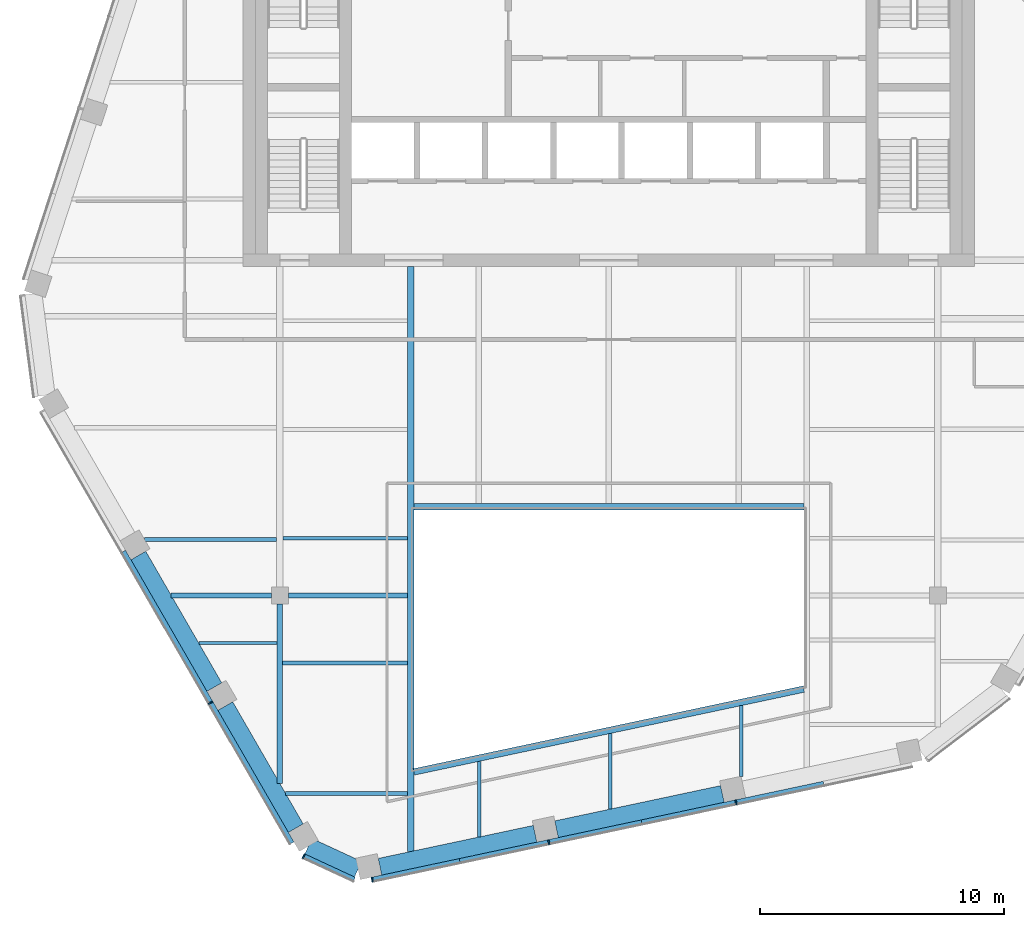
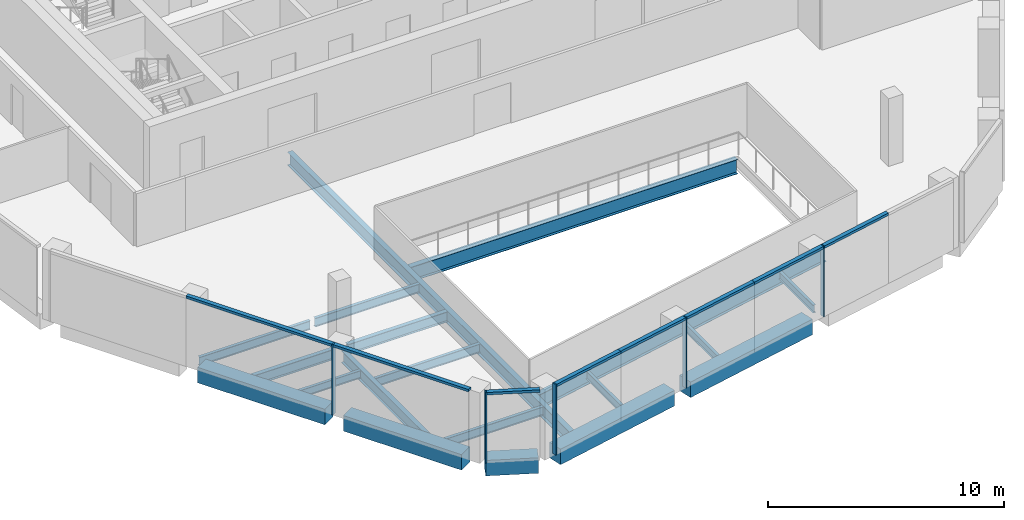
# One storey, part 2 of 15: 19 beams, 13 members, 3 elements without a shape of their own.
"""IFC4 building model written with IfcOpenShell, lengths in metres."""

import ifcopenshell
import ifcopenshell.guid

model = None  # the IFC model being written
_history = None  # IfcOwnerHistory: only IFC2X3 demands one
_inside = {}  # id of a spatial element -> (the spatial element, [elements in it])
_under = {}  # id of a project, library or spatial element -> (it, [spatial elements below it])
_declared = {}  # id of a project -> (the project, [libraries it declares])
_typed = {}  # id of a type object -> (the type object, [elements of that type])
_made_of = {}  # id of a material, layer set ... -> (it, [elements and type objects made of it])


def new_model(schema):
    """Start an empty IFC model of exactly this schema.

    Asked for "IFC4X3", IfcOpenShell would pick the latest addendum, in which some entities
    have other attributes; the version numbers below select the first issue.
    IFC2X3 requires an IfcOwnerHistory on every rooted entity: one is made here for all.
    """
    global model, _history
    if schema == "IFC4X3":
        model = ifcopenshell.file(schema_version=(4, 3, 0, 0))
    else:
        model = ifcopenshell.file(schema=schema)
    _inside.clear()
    _under.clear()
    _declared.clear()
    _typed.clear()
    _made_of.clear()
    _history = None
    if model.schema == "IFC2X3":
        org = make("IfcOrganization", Name="unknown")
        user = make(
            "IfcPersonAndOrganization",
            ThePerson=make("IfcPerson", FamilyName="unknown"),
            TheOrganization=org,
        )
        app = make(
            "IfcApplication",
            ApplicationDeveloper=org,
            Version="unknown",
            ApplicationFullName="unknown",
            ApplicationIdentifier="unknown",
        )
        _history = make(
            "IfcOwnerHistory",
            OwningUser=user,
            OwningApplication=app,
            ChangeAction="ADDED",
            CreationDate=0,
        )
    return model


def make(cls, **values):
    """One entity of the class cls with the attributes given. An attribute that is None is left unset."""
    return model.create_entity(
        cls, **{name: value for name, value in values.items() if value is not None}
    )


def rooted(cls, **values):
    """An entity with a GlobalId (a new one), such as an element, a storey or a relation."""
    return make(cls, GlobalId=ifcopenshell.guid.new(), OwnerHistory=_history, **values)


def si_unit(unit_type, name, prefix=None):
    """IfcSIUnit, for example si_unit("LENGTHUNIT", "METRE", prefix="MILLI")."""
    return make("IfcSIUnit", UnitType=unit_type, Prefix=prefix, Name=name)


def assignment(units):
    """IfcUnitAssignment: the units of a project."""
    return None if units is None else make("IfcUnitAssignment", Units=units)


def point(xyz):
    """IfcCartesianPoint."""
    return None if xyz is None else make("IfcCartesianPoint", Coordinates=xyz)


def direction(xyz):
    """IfcDirection."""
    return None if xyz is None else make("IfcDirection", DirectionRatios=xyz)


def frame(location, z_axis=None, x_axis=None):
    """IfcAxis2Placement3D, a coordinate frame: its origin and axes. An axis left out is left unset."""
    return make(
        "IfcAxis2Placement3D",
        Location=point(location),
        Axis=direction(z_axis),
        RefDirection=direction(x_axis),
    )


def frame_2d(location, x_axis=None):
    """IfcAxis2Placement2D, a coordinate frame in the plane: its origin and x axis."""
    return make(
        "IfcAxis2Placement2D", Location=point(location), RefDirection=direction(x_axis)
    )


def origin():
    """The frame at (0, 0, 0) with its axes left unset."""
    return frame((0.0, 0.0, 0.0))


def origin_2d():
    """The frame at (0, 0) in the plane with its x axis left unset."""
    return frame_2d((0.0, 0.0))


def place(relative_to, where):
    """IfcLocalPlacement: puts the frame where relative to a parent placement (None: the world)."""
    return make(
        "IfcLocalPlacement", PlacementRelTo=relative_to, RelativePlacement=where
    )


def context(
    kind, dimensions, precision=None, world=None, true_north=None, identifier=None
):
    """IfcGeometricRepresentationContext, for example the 3D "Model" context."""
    return make(
        "IfcGeometricRepresentationContext",
        ContextIdentifier=identifier,
        ContextType=kind,
        CoordinateSpaceDimension=dimensions,
        Precision=precision,
        WorldCoordinateSystem=world,
        TrueNorth=true_north,
    )


def subcontext(parent, identifier, kind, view, scale=None):
    """IfcGeometricRepresentationSubContext, for example "Body" below "Model"."""
    return make(
        "IfcGeometricRepresentationSubContext",
        ContextIdentifier=identifier,
        ContextType=kind,
        ParentContext=parent,
        TargetScale=scale,
        TargetView=view,
    )


def project(units=None, contexts=None):
    """IfcProject with its units and contexts."""
    return rooted(
        "IfcProject",
        Name="project",
        RepresentationContexts=contexts,
        UnitsInContext=assignment(units),
    )


def spatial(cls, under=None, at=None, **own):
    """A site, building, storey or space (cls), placed at a placement, below another one or the project."""
    s = rooted(cls, ObjectPlacement=at, **own)
    if under is not None:
        _under.setdefault(under.id(), (under, []))[1].append(s)
    return s


def profile(cls, at=None, kind="AREA", **sizes):
    """A parametric profile (cls). Its sizes go by their IFC names, for example OverallWidth=200.0."""
    return make(cls, ProfileType=kind, Position=at, **sizes)


def rectangle(**sizes):
    """IfcRectangleProfileDef."""
    return profile("IfcRectangleProfileDef", **sizes)


def i_section(**sizes):
    """IfcIShapeProfileDef."""
    return profile("IfcIShapeProfileDef", **sizes)


def extrude(swept, where, along, depth):
    """IfcExtrudedAreaSolid: the profile swept, set in the frame where, extruded along a direction by depth."""
    return make(
        "IfcExtrudedAreaSolid",
        SweptArea=swept,
        Position=where,
        ExtrudedDirection=direction(along),
        Depth=depth,
    )


def shape(context_of_items, identifier, shape_type, items):
    """IfcShapeRepresentation: the items that make up one representation, for example the "Body"."""
    return make(
        "IfcShapeRepresentation",
        ContextOfItems=context_of_items,
        RepresentationIdentifier=identifier,
        RepresentationType=shape_type,
        Items=items,
    )


def material(Name=None, Category=None):
    """IfcMaterial."""
    return make("IfcMaterial", Name=Name, Category=Category)


def layer(
    of_material, thickness, ventilated=None, Name=None, Category=None, Priority=None
):
    """IfcMaterialLayer: one layer of a wall or slab, of a material (None: an air gap)."""
    return make(
        "IfcMaterialLayer",
        Material=of_material,
        LayerThickness=thickness,
        IsVentilated=ventilated,
        Name=Name,
        Category=Category,
        Priority=Priority,
    )


def layer_set(layers, Name=None):
    """IfcMaterialLayerSet."""
    return make("IfcMaterialLayerSet", MaterialLayers=layers, LayerSetName=Name)


def material_profile(
    of_material, cross_section, Name=None, Category=None, Priority=None
):
    """IfcMaterialProfile: a cross section and its material."""
    return make(
        "IfcMaterialProfile",
        Name=Name,
        Material=of_material,
        Profile=cross_section,
        Priority=Priority,
        Category=Category,
    )


def profile_set(profiles, Name=None, composite=None):
    """IfcMaterialProfileSet."""
    return make(
        "IfcMaterialProfileSet",
        Name=Name,
        MaterialProfiles=profiles,
        CompositeProfile=composite,
    )


def made_of(thing, what):
    """Note that an element or type object is made of a material, layer set ...; save() writes the relation."""
    if what is not None:
        _made_of.setdefault(what.id(), (what, []))[1].append(thing)
    return thing


def type_object(cls, material=None, **own):
    """A type object (cls), such as IfcWallType, which elements share."""
    return made_of(rooted(cls, **own), material)


def element(
    cls,
    number,
    at=None,
    inside=None,
    cuts=None,
    type_object=None,
    material=None,
    context=None,
    identifier="Body",
    shape_type=None,
    held_by="IfcProductDefinitionShape",
    body=None,
    shapes=None,
    **own,
):
    """One element of the class cls, such as IfcWall. Its Tag is "e" and its number.

    at: its placement. inside: the storey or other place that contains it. cuts: it is an
    opening in that element (IfcRelVoidsElement). A single representation is given by context,
    identifier, shape_type and body (its items); several are given by shapes. held_by: the class
    of the entity that holds the representations. save() writes the other relations.
    """
    e = rooted(cls, Tag="e%d" % number, ObjectPlacement=at, **own)
    if body is not None:
        shapes = [shape(context, identifier, shape_type, body)]
    if shapes is not None:
        e.Representation = make(held_by, Representations=shapes)
    if inside is not None:
        _inside.setdefault(inside.id(), (inside, []))[1].append(e)
    if cuts is not None:
        rooted(
            "IfcRelVoidsElement", RelatingBuildingElement=cuts, RelatedOpeningElement=e
        )
    if type_object is not None:
        _typed.setdefault(type_object.id(), (type_object, []))[1].append(e)
    return made_of(e, material)


def aggregate(whole, parts):
    """IfcRelAggregates: a whole, such as a stair, and the parts it consists of."""
    return rooted("IfcRelAggregates", RelatingObject=whole, RelatedObjects=parts)


def save(model, path):
    """Write the relations noted so far, then the file.

    IfcRelAggregates (storeys below a building ...), IfcRelContainedInSpatialStructure (elements
    in a storey), IfcRelDefinesByType, IfcRelAssociatesMaterial and IfcRelDeclares: one each for
    every whole, place, type object, material and project.
    """
    for whole, parts in _under.values():
        aggregate(whole, parts)
    for where, things in _inside.values():
        rooted(
            "IfcRelContainedInSpatialStructure",
            RelatedElements=things,
            RelatingStructure=where,
        )
    for kind, things in _typed.values():
        rooted("IfcRelDefinesByType", RelatedObjects=things, RelatingType=kind)
    for what, things in _made_of.values():
        rooted("IfcRelAssociatesMaterial", RelatedObjects=things, RelatingMaterial=what)
    for by, libraries in _declared.values():
        rooted("IfcRelDeclares", RelatingContext=by, RelatedDefinitions=libraries)
    model.write(path)


model = new_model("IFC4")

# Units and contexts
model_context = context("Model", 3, precision=1e-05, world=origin(), true_north=direction((0.0, 1.0)))
body_context = subcontext(model_context, "Body", "Model", "MODEL_VIEW")
ifc_project = project(units=[si_unit("LENGTHUNIT", "METRE"), si_unit("AREAUNIT", "SQUARE_METRE"), si_unit("VOLUMEUNIT", "CUBIC_METRE"), si_unit("PLANEANGLEUNIT", "RADIAN"), si_unit("MASSUNIT", "GRAM", prefix="KILO")], contexts=[model_context])

# Site, building, storey
site_placement = place(None, origin())
site = spatial("IfcSite", under=ifc_project, at=site_placement, CompositionType="ELEMENT")
building_placement = place(site_placement, origin())
building = spatial("IfcBuilding", under=site, at=building_placement, Name="Isthmus Gate Tower", CompositionType="ELEMENT")
storey_placement = place(building_placement, frame((0.0, 0.0, 268.25)))
storey = spatial("IfcBuildingStorey", under=building, at=storey_placement, Name="L68", CompositionType="ELEMENT", Elevation=268.25)

# Curtain wall, member
ifc_material_1 = material(Name="Aluminium, pale champagne anodised", Category="aluminium")
ifc_layer = layer(ifc_material_1, 0.199951171875)
ifc_layer_set = layer_set([ifc_layer], Name="CW-1 UNITISED CURTAIN WALL 200 DEEP")
curtain_wall_type = type_object("IfcCurtainWallType", Name="CW-1 UNITISED CURTAIN WALL 200 DEEP", PredefinedType="NOTDEFINED", material=ifc_layer_set)
curtain_wall_1_placement = place(storey_placement, origin())
curtain_wall_1 = element("IfcCurtainWall", 1, at=curtain_wall_1_placement, inside=storey, type_object=curtain_wall_type, Name="CW-1 SW L68", PredefinedType="NOTDEFINED")
ifc_material_2 = material(Name="Aluminium, pale champagne anodised", Category="aluminium")
ifc_material_profile_1 = material_profile(ifc_material_2, rectangle(XDim=0.06005859375, YDim=0.199951171875, at=origin_2d()), Name="60x200")
ifc_profile_set_1 = profile_set([ifc_material_profile_1], Name="Aluminium, pale champagne anodised")
member_type_1 = type_object("IfcMemberType", Name="CW-1 MULLION 60 X 200", PredefinedType="MULLION", material=ifc_profile_set_1)
member_1_placement = place(storey_placement, frame((-16.33544921875, -17.90625, 0.0), z_axis=(0.0, 0.0, 1.0), x_axis=(0.5, -0.866025403784, 0.0)))
member_1 = element("IfcMember", 2, at=member_1_placement, type_object=member_type_1, Name="CW-1 mullion", PredefinedType="MULLION", context=body_context, shape_type="SweptSolid", body=[
    extrude(rectangle(XDim=0.06005859375, YDim=0.199951171875, at=origin_2d()), origin(), (0.0, 0.0, 1.0), 3.64990234375),
])

curtain_wall_2_placement = place(storey_placement, origin())
curtain_wall_2 = element("IfcCurtainWall", 3, at=curtain_wall_2_placement, inside=storey, type_object=curtain_wall_type, Name="CW-1 SW-S L68", PredefinedType="NOTDEFINED")
member_2_placement = place(storey_placement, frame((-12.519775390625, -24.201171875, 0.0), z_axis=(0.0, 0.0, 1.0), x_axis=(0.907256261367, -0.420578264073, 0.0)))
member_2 = element("IfcMember", 4, at=member_2_placement, type_object=member_type_1, Name="CW-1 mullion", PredefinedType="MULLION", context=body_context, shape_type="SweptSolid", body=[
    extrude(rectangle(XDim=0.06005859375, YDim=0.199951171875, at=origin_2d()), origin(), (0.0, 0.0, 1.0), 3.64990234375),
])

# Curtain wall, members
curtain_wall_3_placement = place(storey_placement, origin())
curtain_wall_3 = element("IfcCurtainWall", 5, at=curtain_wall_3_placement, inside=storey, type_object=curtain_wall_type, Name="CW-1 S L68", PredefinedType="NOTDEFINED")
member_3_placement = place(storey_placement, frame((-9.70703125, -25.16552734375, 0.0), z_axis=(0.0, 0.0, 1.0), x_axis=(0.978147600734, 0.207911690818, 0.0)))
member_3 = element("IfcMember", 6, at=member_3_placement, type_object=member_type_1, Name="CW-1 mullion", PredefinedType="MULLION", context=body_context, shape_type="SweptSolid", body=[
    extrude(rectangle(XDim=0.06005859375, YDim=0.199951171875, at=origin_2d()), origin(), (0.0, 0.0, 1.0), 3.64990234375),
])
member_4_placement = place(storey_placement, frame((-2.462158203125, -23.62548828125, 0.0), z_axis=(0.0, 0.0, 1.0), x_axis=(0.978147600734, 0.207911690818, 0.0)))
member_4 = element("IfcMember", 7, at=member_4_placement, type_object=member_type_1, Name="CW-1 mullion", PredefinedType="MULLION", context=body_context, shape_type="SweptSolid", body=[
    extrude(rectangle(XDim=0.06005859375, YDim=0.199951171875, at=origin_2d()), origin(), (0.0, 0.0, 1.0), 3.64990234375),
])
member_5_placement = place(storey_placement, frame((5.222900390625, -21.991943359375, 0.0), z_axis=(0.0, 0.0, 1.0), x_axis=(0.978147600734, 0.207911690818, 0.0)))
member_5 = element("IfcMember", 8, at=member_5_placement, type_object=member_type_1, Name="CW-1 mullion", PredefinedType="MULLION", context=body_context, shape_type="SweptSolid", body=[
    extrude(rectangle(XDim=0.06005859375, YDim=0.199951171875, at=origin_2d()), origin(), (0.0, 0.0, 1.0), 3.64990234375),
])

# Member
ifc_material_3 = material(Name="Aluminium, pale champagne anodised", Category="aluminium")
ifc_material_profile_2 = material_profile(ifc_material_3, rectangle(XDim=0.199951171875, YDim=0.1298828125, at=origin_2d()), Name="200x130")
ifc_profile_set_2 = profile_set([ifc_material_profile_2], Name="Aluminium, pale champagne anodised")
member_type_2 = type_object("IfcMemberType", Name="CW-1 TRANSOM 200 X 130", PredefinedType="USERDEFINED", material=ifc_profile_set_2)
member_6_placement = place(storey_placement, frame((-19.917724609375, -11.70166015625, 3.5849609375), z_axis=(0.500010763282, -0.866019189511, 0.0), x_axis=(0.866019189511, 0.500010763282, 0.0)))
member_6 = element("IfcMember", 9, at=member_6_placement, type_object=member_type_2, Name="CW-1 transom", ObjectType="TRANSOM", PredefinedType="USERDEFINED", context=body_context, shape_type="SweptSolid", body=[
    extrude(rectangle(XDim=0.199951171875, YDim=0.1298828125, at=origin_2d()), origin(), (0.0, 0.0, 1.0), 7.134521484375),
])

member_7_placement = place(storey_placement, frame((-16.3203125, -17.932373046875, 3.5849609375), z_axis=(0.500011702555, -0.866018647206, 0.0), x_axis=(0.866018647206, 0.500011702555, 0.0)))
member_7 = element("IfcMember", 10, at=member_7_placement, type_object=member_type_2, Name="CW-1 transom", ObjectType="TRANSOM", PredefinedType="USERDEFINED", context=body_context, shape_type="SweptSolid", body=[
    extrude(rectangle(XDim=0.199951171875, YDim=0.1298828125, at=origin_2d()), origin(), (0.0, 0.0, 1.0), 6.624267578125),
])

aggregate(curtain_wall_1, [member_6, member_1, member_7])

member_8_placement = place(storey_placement, frame((-12.49267578125, -24.213623046875, 3.5849609375), z_axis=(0.907246225564, -0.420599912268, 0.0), x_axis=(0.420599912268, 0.907246225564, 0.0)))
member_8 = element("IfcMember", 11, at=member_8_placement, type_object=member_type_2, Name="CW-1 transom", ObjectType="TRANSOM", PredefinedType="USERDEFINED", context=body_context, shape_type="SweptSolid", body=[
    extrude(rectangle(XDim=0.199951171875, YDim=0.1298828125, at=origin_2d()), origin(), (0.0, 0.0, 1.0), 2.258544921875),
])

aggregate(curtain_wall_2, [member_2, member_8])

member_9_placement = place(storey_placement, frame((-9.677734375, -25.1591796875, 3.5849609375), z_axis=(0.9781569775, 0.207867571707, 0.0), x_axis=(-0.207867571707, 0.9781569775, 0.0)))
member_9 = element("IfcMember", 12, at=member_9_placement, type_object=member_type_2, Name="CW-1 transom", ObjectType="TRANSOM", PredefinedType="USERDEFINED", context=body_context, shape_type="SweptSolid", body=[
    extrude(rectangle(XDim=0.199951171875, YDim=0.1298828125, at=origin_2d()), origin(), (0.0, 0.0, 1.0), 3.643310546875),
])

member_10_placement = place(storey_placement, frame((-6.114013671875, -24.40185546875, 3.5849609375), z_axis=(0.978146451283, 0.207917098487, 0.0), x_axis=(-0.207917098487, 0.978146451283, 0.0)))
member_10 = element("IfcMember", 13, at=member_10_placement, type_object=member_type_2, Name="CW-1 transom", ObjectType="TRANSOM", PredefinedType="USERDEFINED", context=body_context, shape_type="SweptSolid", body=[
    extrude(rectangle(XDim=0.199951171875, YDim=0.1298828125, at=origin_2d()), origin(), (0.0, 0.0, 1.0), 3.70361328125),
])

member_11_placement = place(storey_placement, frame((-2.432861328125, -23.619384765625, 3.5849609375), z_axis=(0.978140080964, 0.207947065409, 0.0), x_axis=(-0.207947065409, 0.978140080964, 0.0)))
member_11 = element("IfcMember", 14, at=member_11_placement, type_object=member_type_2, Name="CW-1 transom", ObjectType="TRANSOM", PredefinedType="USERDEFINED", context=body_context, shape_type="SweptSolid", body=[
    extrude(rectangle(XDim=0.199951171875, YDim=0.1298828125, at=origin_2d()), origin(), (0.0, 0.0, 1.0), 3.868408203125),
])

member_12_placement = place(storey_placement, frame((1.35107421875, -22.81494140625, 3.5849609375), z_axis=(0.978153006411, 0.207886257478, 0.0), x_axis=(-0.207886257478, 0.978153006411, 0.0)))
member_12 = element("IfcMember", 15, at=member_12_placement, type_object=member_type_2, Name="CW-1 transom", ObjectType="TRANSOM", PredefinedType="USERDEFINED", context=body_context, shape_type="SweptSolid", body=[
    extrude(rectangle(XDim=0.199951171875, YDim=0.1298828125, at=origin_2d()), origin(), (0.0, 0.0, 1.0), 3.928466796875),
])

member_13_placement = place(storey_placement, frame((5.25244140625, -21.98583984375, 3.5849609375), z_axis=(0.978143350472, 0.207931685724, 0.0), x_axis=(-0.207931685724, 0.978143350472, 0.0)))
member_13 = element("IfcMember", 16, at=member_13_placement, type_object=member_type_2, Name="CW-1 transom", ObjectType="TRANSOM", PredefinedType="USERDEFINED", context=body_context, shape_type="SweptSolid", body=[
    extrude(rectangle(XDim=0.199951171875, YDim=0.1298828125, at=origin_2d()), origin(), (0.0, 0.0, 1.0), 3.643310546875),
])

aggregate(curtain_wall_3, [member_3, member_9, member_10, member_4, member_11, member_12, member_5, member_13])

# Beams
ifc_material_4 = material(Name="Concrete f'c 50 MPa", Category="concrete")
ifc_material_profile_3 = material_profile(ifc_material_4, rectangle(XDim=0.699951171875, YDim=0.800048828125, at=origin_2d()), Name="RC 700X800")
ifc_profile_set_3 = profile_set([ifc_material_profile_3], Name="Concrete f'c 50 MPa")
beam_type_1 = type_object("IfcBeamType", Name="RC SPANDREL 700 X 800", PredefinedType="SPANDREL", material=ifc_profile_set_3)
beam_1_placement = place(storey_placement, frame((4.659912109375, -21.651611328125, -0.39990234375), z_axis=(-0.978143150477, -0.207932626528, 0.0), x_axis=(0.207932626528, -0.978143150477, 0.0)))
element("IfcBeam", 17, at=beam_1_placement, inside=storey, type_object=beam_type_1, Name="str-spandrel-L68-10", PredefinedType="SPANDREL", context=body_context, shape_type="SweptSolid", body=[
    extrude(rectangle(XDim=0.699951171875, YDim=0.800048828125, at=origin_2d()), origin(), (0.0, 0.0, 1.0), 6.956787109375),
])
beam_2_placement = place(storey_placement, frame((-3.025146484375, -23.28515625, -0.39990234375), z_axis=(-0.97815026796, -0.207899142108, 0.0), x_axis=(0.207899142108, -0.97815026796, 0.0)))
element("IfcBeam", 18, at=beam_2_placement, inside=storey, type_object=beam_type_1, Name="str-spandrel-L68-11", PredefinedType="SPANDREL", context=body_context, shape_type="SweptSolid", body=[
    extrude(rectangle(XDim=0.699951171875, YDim=0.800048828125, at=origin_2d()), origin(), (0.0, 0.0, 1.0), 6.5068359375),
])
beam_3_placement = place(storey_placement, frame((-10.288330078125, -24.739501953125, -0.39990234375), z_axis=(-0.907254968276, 0.42058105347, 0.0), x_axis=(-0.42058105347, -0.907254968276, 0.0)))
element("IfcBeam", 19, at=beam_3_placement, inside=storey, type_object=beam_type_1, Name="str-spandrel-L68-12", PredefinedType="SPANDREL", context=body_context, shape_type="SweptSolid", body=[
    extrude(rectangle(XDim=0.699951171875, YDim=0.800048828125, at=origin_2d()), origin(), (0.0, 0.0, 1.0), 2.245849609375),
])
beam_4_placement = place(storey_placement, frame((-12.843505859375, -23.0546875, -0.39990234375), z_axis=(-0.499961143711, 0.866047836311, 0.0), x_axis=(-0.866047836311, -0.499961143711, 0.0)))
element("IfcBeam", 20, at=beam_4_placement, inside=storey, type_object=beam_type_1, Name="str-spandrel-L68-13", PredefinedType="SPANDREL", context=body_context, shape_type="SweptSolid", body=[
    extrude(rectangle(XDim=0.699951171875, YDim=0.800048828125, at=origin_2d()), origin(), (0.0, 0.0, 1.0), 5.78466796875),
])
beam_5_placement = place(storey_placement, frame((-16.185791015625, -17.265625, -0.39990234375), z_axis=(-0.499997027648, 0.866027119866, 0.0), x_axis=(-0.866027119866, -0.499997027648, 0.0)))
element("IfcBeam", 21, at=beam_5_placement, inside=storey, type_object=beam_type_1, Name="str-spandrel-L68-14", PredefinedType="SPANDREL", context=body_context, shape_type="SweptSolid", body=[
    extrude(rectangle(XDim=0.699951171875, YDim=0.800048828125, at=origin_2d()), origin(), (0.0, 0.0, 1.0), 6.234375),
])
ifc_material_5 = material(Name="Structural steel ASTM A992 Gr 50", Category="steel")
ifc_material_profile_4 = material_profile(ifc_material_5, i_section(OverallWidth=0.1396484375, OverallDepth=0.4033203125, WebThickness=0.00634765625, FlangeThickness=0.010986328125, at=origin_2d()), Name="W16X31")
ifc_profile_set_4 = profile_set([ifc_material_profile_4], Name="Structural steel ASTM A992 Gr 50")
beam_type_2 = type_object("IfcBeamType", Name="STEEL FLOOR BEAM W16X31", PredefinedType="JOIST", material=ifc_profile_set_4)
beam_6_placement = place(storey_placement, frame((-16.824951171875, -15.45849609375, -0.3515625), z_axis=(1.0, 0.0, 0.0), x_axis=(0.0, 1.0, 0.0)))
element("IfcBeam", 22, at=beam_6_placement, inside=storey, type_object=beam_type_2, Name="str-beam-L68-02-00", PredefinedType="JOIST", context=body_context, shape_type="SweptSolid", body=[
    extrude(i_section(OverallWidth=0.1396484375, OverallDepth=0.4033203125, WebThickness=0.00634765625, FlangeThickness=0.010986328125, at=origin_2d()), origin(), (0.0, 0.0, 1.0), 3.210693359375),
])
for number, where, z_axis, x_axis, name in (
    (23, (-5.314208984375, -23.4140625, -0.3515625), (0.0, 1.0, 0.0), (-1.0, 0.0, 0.0), "str-beam-L68-05-00"),
    (24, (0.05712890625, -22.272216796875, -0.3515625), (0.0, 1.0, 0.0), (-1.0, 0.0, 0.0), "str-beam-L68-05-01"),
):
    element("IfcBeam", number, at=place(storey_placement, frame(where, z_axis=z_axis, x_axis=x_axis)), inside=storey, type_object=beam_type_2, Name=name, PredefinedType="JOIST", context=body_context, shape_type="SweptSolid", body=[
        extrude(i_section(OverallWidth=0.1396484375, OverallDepth=0.4033203125, WebThickness=0.00634765625, FlangeThickness=0.010986328125, at=origin_2d()), origin(), (0.0, 0.0, 1.0), 3.10107421875),
    ])
beam_7_placement = place(storey_placement, frame((5.428466796875, -20.939208984375, -0.3515625), z_axis=(0.0, 1.0, 0.0), x_axis=(-1.0, 0.0, 0.0)))
element("IfcBeam", 25, at=beam_7_placement, inside=storey, type_object=beam_type_2, Name="str-beam-L68-05-02", PredefinedType="JOIST", context=body_context, shape_type="SweptSolid", body=[
    extrude(i_section(OverallWidth=0.1396484375, OverallDepth=0.4033203125, WebThickness=0.00634765625, FlangeThickness=0.010986328125, at=origin_2d()), origin(), (0.0, 0.0, 1.0), 2.909912109375),
])
ifc_material_6 = material(Name="Structural steel ASTM A992 Gr 50", Category="steel")
ifc_material_profile_5 = material_profile(ifc_material_6, i_section(OverallWidth=0.15234375, OverallDepth=0.45068359375, WebThickness=0.0078125, FlangeThickness=0.010986328125, at=origin_2d()), Name="W18X35")
ifc_profile_set_5 = profile_set([ifc_material_profile_5], Name="Structural steel ASTM A992 Gr 50")
beam_type_3 = type_object("IfcBeamType", Name="STEEL FLOOR BEAM W18X35", PredefinedType="JOIST", material=ifc_profile_set_5)
beam_8_placement = place(storey_placement, frame((-19.0478515625, -11.208251953125, -0.37548828125), z_axis=(1.0, 0.0, 0.0), x_axis=(0.0, 1.0, 0.0)))
element("IfcBeam", 26, at=beam_8_placement, inside=storey, type_object=beam_type_3, Name="str-beam-L68-01-00", PredefinedType="JOIST", context=body_context, shape_type="SweptSolid", body=[
    extrude(i_section(OverallWidth=0.15234375, OverallDepth=0.45068359375, WebThickness=0.0078125, FlangeThickness=0.010986328125, at=origin_2d()), origin(), (0.0, 0.0, 1.0), 5.416015625),
])
beam_9_placement = place(storey_placement, frame((-13.3681640625, -11.16259765625, -0.37548828125), z_axis=(1.0, 0.0, 0.0), x_axis=(0.0, 1.0, 0.0)))
element("IfcBeam", 27, at=beam_9_placement, inside=storey, type_object=beam_type_3, Name="str-beam-L68-03-00", PredefinedType="JOIST", context=body_context, shape_type="SweptSolid", body=[
    extrude(i_section(OverallWidth=0.15234375, OverallDepth=0.45068359375, WebThickness=0.0078125, FlangeThickness=0.010986328125, at=origin_2d()), origin(), (0.0, 0.0, 1.0), 5.1142578125),
])
beam_10_placement = place(storey_placement, frame((-13.2587890625, -21.635009765625, -0.37548828125), z_axis=(1.0, 0.0, 0.0), x_axis=(0.0, 1.0, 0.0)))
element("IfcBeam", 28, at=beam_10_placement, inside=storey, type_object=beam_type_3, Name="str-beam-L68-04-00", PredefinedType="JOIST", context=body_context, shape_type="SweptSolid", body=[
    extrude(i_section(OverallWidth=0.15234375, OverallDepth=0.45068359375, WebThickness=0.0078125, FlangeThickness=0.010986328125, at=origin_2d()), origin(), (0.0, 0.0, 1.0), 5.0048828125),
])
beam_11_placement = place(storey_placement, frame((-13.3857421875, -16.281494140625, -0.37548828125), z_axis=(1.0, 0.0, 0.0), x_axis=(0.0, 1.0, 0.0)))
element("IfcBeam", 29, at=beam_11_placement, inside=storey, type_object=beam_type_3, Name="str-beam-L68-04-01", PredefinedType="JOIST", context=body_context, shape_type="SweptSolid", body=[
    extrude(i_section(OverallWidth=0.15234375, OverallDepth=0.45068359375, WebThickness=0.0078125, FlangeThickness=0.010986328125, at=origin_2d()), origin(), (0.0, 0.0, 1.0), 5.1318359375),
])
ifc_material_7 = material(Name="Structural steel ASTM A992 Gr 50", Category="steel")
ifc_material_profile_6 = material_profile(ifc_material_7, i_section(OverallWidth=0.20947265625, OverallDepth=0.533447265625, WebThickness=0.009521484375, FlangeThickness=0.015869140625, at=origin_2d()), Name="W21X62")
ifc_profile_set_6 = profile_set([ifc_material_profile_6], Name="Structural steel ASTM A992 Gr 50")
beam_type_4 = type_object("IfcBeamType", Name="STEEL GIRDER W21X62", PredefinedType="BEAM", material=ifc_profile_set_6)
beam_12_placement = place(storey_placement, frame((-17.95556640625, -13.5, -0.416748046875), z_axis=(1.0, 0.0, 0.0), x_axis=(0.0, 1.0, 0.0)))
element("IfcBeam", 30, at=beam_12_placement, inside=storey, type_object=beam_type_4, Name="str-girder-L68-01", PredefinedType="BEAM", context=body_context, shape_type="SweptSolid", body=[
    extrude(i_section(OverallWidth=0.20947265625, OverallDepth=0.533447265625, WebThickness=0.009521484375, FlangeThickness=0.015869140625, at=origin_2d()), origin(), (0.0, 0.0, 1.0), 4.10546875),
])
beam_13_placement = place(storey_placement, frame((-13.14990234375, -13.5, -0.416748046875), z_axis=(1.0, 0.0, 0.0), x_axis=(0.0, 1.0, 0.0)))
element("IfcBeam", 31, at=beam_13_placement, inside=storey, type_object=beam_type_4, Name="str-girder-L68-02", PredefinedType="BEAM", context=body_context, shape_type="SweptSolid", body=[
    extrude(i_section(OverallWidth=0.20947265625, OverallDepth=0.533447265625, WebThickness=0.009521484375, FlangeThickness=0.015869140625, at=origin_2d()), origin(), (0.0, 0.0, 1.0), 4.89599609375),
])
ifc_material_8 = material(Name="Structural steel ASTM A992 Gr 50", Category="steel")
ifc_material_profile_7 = material_profile(ifc_material_8, i_section(OverallWidth=0.228515625, OverallDepth=0.603271484375, WebThickness=0.010986328125, FlangeThickness=0.014404296875, at=origin_2d()), Name="W24X68")
ifc_profile_set_7 = profile_set([ifc_material_profile_7], Name="Structural steel ASTM A992 Gr 50")
beam_type_5 = type_object("IfcBeamType", Name="STEEL GIRDER W24X68", PredefinedType="BEAM", material=ifc_profile_set_7)
beam_14_placement = place(storey_placement, frame((-13.5, -21.21728515625, -0.45166015625), z_axis=(0.0, 1.0, 0.0), x_axis=(-1.0, 0.0, 0.0)))
element("IfcBeam", 32, at=beam_14_placement, inside=storey, type_object=beam_type_5, Name="str-girder-L68-05", PredefinedType="BEAM", context=body_context, shape_type="SweptSolid", body=[
    extrude(i_section(OverallWidth=0.228515625, OverallDepth=0.603271484375, WebThickness=0.010986328125, FlangeThickness=0.014404296875, at=origin_2d()), origin(), (0.0, 0.0, 1.0), 7.3671875),
])
ifc_material_9 = material(Name="Structural steel ASTM A992 Gr 50", Category="steel")
ifc_material_profile_8 = material_profile(ifc_material_9, i_section(OverallWidth=0.25390625, OverallDepth=0.679443359375, WebThickness=0.010986328125, FlangeThickness=0.015869140625, at=origin_2d()), Name="W27X84")
ifc_profile_set_8 = profile_set([ifc_material_profile_8], Name="Structural steel ASTM A992 Gr 50")
beam_type_6 = type_object("IfcBeamType", Name="STEEL TRIMMER W27X84", PredefinedType="BEAM", material=ifc_profile_set_8)
beam_15_placement = place(storey_placement, frame((-8.126953125, 0.0, -0.48974609375), z_axis=(0.0, -1.0, 0.0), x_axis=(1.0, 0.0, 0.0)))
element("IfcBeam", 33, at=beam_15_placement, inside=storey, type_object=beam_type_6, Name="str-trimmer-L68-02", PredefinedType="BEAM", context=body_context, shape_type="SweptSolid", body=[
    extrude(i_section(OverallWidth=0.25390625, OverallDepth=0.679443359375, WebThickness=0.010986328125, FlangeThickness=0.015869140625, at=origin_2d()), origin(), (0.0, 0.0, 1.0), 24.01171875),
])
ifc_material_10 = material(Name="Structural steel ASTM A992 Gr 50", Category="steel")
ifc_material_profile_9 = material_profile(ifc_material_10, i_section(OverallWidth=0.2666015625, OverallDepth=0.7587890625, WebThickness=0.014404296875, FlangeThickness=0.01904296875, at=origin_2d()), Name="W30X108")
ifc_profile_set_9 = profile_set([ifc_material_profile_9], Name="Structural steel ASTM A992 Gr 50")
beam_type_7 = type_object("IfcBeamType", Name="STEEL TRIMMER W30X108", PredefinedType="BEAM", material=ifc_profile_set_9)
beam_16_placement = place(storey_placement, frame((-8.0, -20.747314453125, -0.529296875), z_axis=(0.978147924985, 0.20791016533, 0.0), x_axis=(-0.20791016533, 0.978147924985, 0.0)))
element("IfcBeam", 34, at=beam_16_placement, inside=storey, type_object=beam_type_7, Name="str-trimmer-L68-03", PredefinedType="BEAM", context=body_context, shape_type="SweptSolid", body=[
    extrude(i_section(OverallWidth=0.2666015625, OverallDepth=0.7587890625, WebThickness=0.014404296875, FlangeThickness=0.01904296875, at=origin_2d()), origin(), (0.0, 0.0, 1.0), 16.357421875),
])
beam_17_placement = place(storey_placement, frame((8.0, -9.86669921875, -0.529296875), z_axis=(-1.0, 0.0, 0.0), x_axis=(0.0, -1.0, 0.0)))
element("IfcBeam", 35, at=beam_17_placement, inside=storey, type_object=beam_type_7, Name="str-trimmer-L68-04", PredefinedType="BEAM", context=body_context, shape_type="SweptSolid", body=[
    extrude(i_section(OverallWidth=0.2666015625, OverallDepth=0.7587890625, WebThickness=0.014404296875, FlangeThickness=0.01904296875, at=origin_2d()), origin(), (0.0, 0.0, 1.0), 16.0),
])

save(model, "model.ifc")
